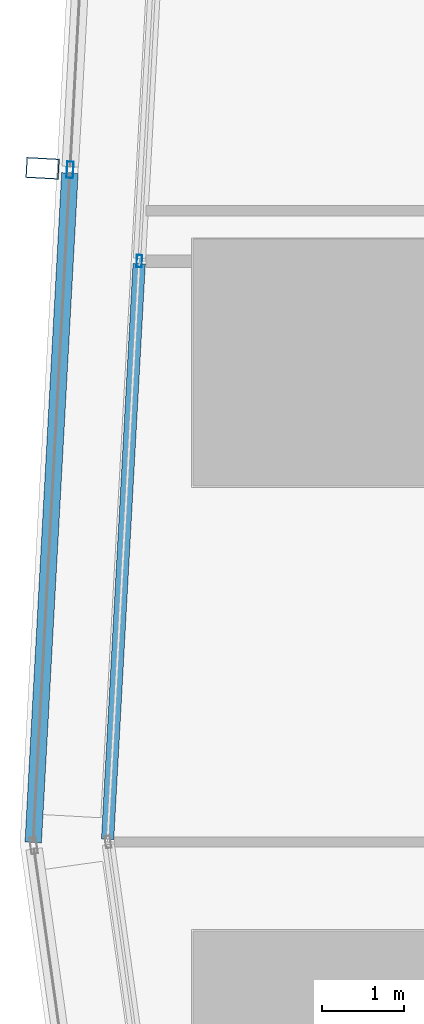
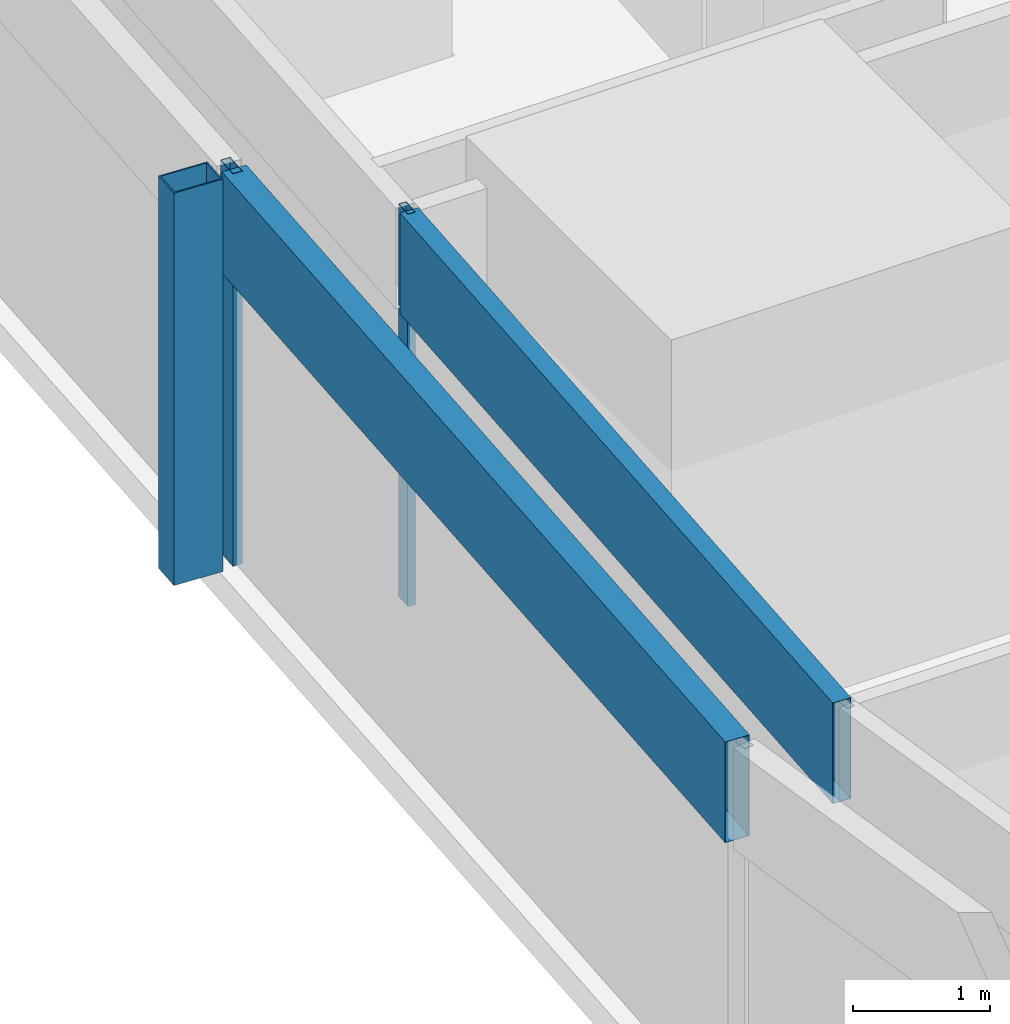
# One storey, part 6 of 39: 5 members, 2 elements without a shape of their own.
"""IFC4 building model written with IfcOpenShell, lengths in metres."""

from ifc_helpers import new_model, si_unit, direction, frame, origin, origin_2d, place, context, subcontext, project, spatial, hollow_rectangle, extrude, material, material_profile, profile_set, type_object, element, aggregate, save


model = new_model("IFC4")

# Units and contexts
model_context = context("Model", 3, precision=1e-05, world=origin(), true_north=direction((0.0, 1.0)))
body_context = subcontext(model_context, "Body", "Model", "MODEL_VIEW")
ifc_project = project(units=[si_unit("LENGTHUNIT", "METRE"), si_unit("AREAUNIT", "SQUARE_METRE"), si_unit("VOLUMEUNIT", "CUBIC_METRE"), si_unit("PLANEANGLEUNIT", "RADIAN"), si_unit("MASSUNIT", "GRAM", prefix="KILO")], contexts=[model_context])

# Site, building, storey
site_placement = place(None, origin())
site = spatial("IfcSite", under=ifc_project, at=site_placement, CompositionType="ELEMENT")
building_placement = place(site_placement, origin())
building = spatial("IfcBuilding", under=site, at=building_placement, Name="Rekha Terrace Tower", CompositionType="ELEMENT")
storey_placement = place(building_placement, frame((0.0, 0.0, 155.300048828125)))
storey = spatial("IfcBuildingStorey", under=building, at=storey_placement, Name="L39", CompositionType="ELEMENT", Elevation=155.300048828125)

# Curtain wall, member
ifc_material_1 = material(Name="Aluminium framing", Category="aluminium")
curtain_wall_type_1 = type_object("IfcCurtainWallType", Name="CW2 double skin outer glazing", PredefinedType="USERDEFINED", material=ifc_material_1)
curtain_wall_1_placement = place(storey_placement, origin())
curtain_wall_1 = element("IfcCurtainWall", 1, at=curtain_wall_1_placement, inside=storey, type_object=curtain_wall_type_1, Name="CW2 double skin outer glazing", ObjectType="DOUBLE SKIN OUTER GLAZING", PredefinedType="USERDEFINED")
ifc_material_2 = material(Name="Steel S355 with fluorocarbon finish", Category="steel")
ifc_material_profile_1 = material_profile(ifc_material_2, hollow_rectangle(XDim=0.25, YDim=0.39990234375, WallThickness=0.012451171875, at=origin_2d()), Name="RHS400x250x12.5")
ifc_profile_set_1 = profile_set([ifc_material_profile_1], Name="Steel S355 with fluorocarbon finish")
member_type_1 = type_object("IfcMemberType", Name="BL1 facade blade RHS 400 x 250", PredefinedType="USERDEFINED", material=ifc_profile_set_1)
member_1_placement = place(storey_placement, frame((5.073974609375, 35.9609375, 0.0), z_axis=(0.0, 0.0, 1.0), x_axis=(-0.054742798353, -0.998500488747, 0.0)))
member_1 = element("IfcMember", 2, at=member_1_placement, type_object=member_type_1, Name="Facade blade", ObjectType="FACADE BLADE", PredefinedType="USERDEFINED", context=body_context, shape_type="SweptSolid", body=[
    extrude(hollow_rectangle(XDim=0.25, YDim=0.39990234375, WallThickness=0.012451171875, at=origin_2d()), origin(), (0.0, 0.0, 1.0), 3.5),
])

# Curtain wall, members
curtain_wall_type_2 = type_object("IfcCurtainWallType", Name="CW1 double skin inner glazing", PredefinedType="USERDEFINED", material=ifc_material_1)
curtain_wall_2_placement = place(storey_placement, origin())
curtain_wall_2 = element("IfcCurtainWall", 3, at=curtain_wall_2_placement, inside=storey, type_object=curtain_wall_type_2, Name="CW1 double skin inner glazing", ObjectType="DOUBLE SKIN INNER GLAZING", PredefinedType="USERDEFINED")
ifc_material_3 = material(Name="Aluminium mullion section", Category="aluminium")
ifc_material_profile_2 = material_profile(ifc_material_3, hollow_rectangle(XDim=0.06494140625, YDim=0.14990234375, WallThickness=0.00390625, at=origin_2d()), Name="AL RHS 65x150")
ifc_profile_set_2 = profile_set([ifc_material_profile_2], Name="Aluminium mullion section")
member_type_2 = type_object("IfcMemberType", Name="CW1 mullion RHS 65 x 150", PredefinedType="MULLION", material=ifc_profile_set_2)
member_2_placement = place(storey_placement, frame((6.2490234375, 34.833984375, 0.0), z_axis=(0.0, 0.0, 1.0), x_axis=(0.998500513181, -0.05474235269, 0.0)))
member_2 = element("IfcMember", 4, at=member_2_placement, type_object=member_type_2, Name="CW1 mullion 3", PredefinedType="MULLION", context=body_context, shape_type="SweptSolid", body=[
    extrude(hollow_rectangle(XDim=0.06494140625, YDim=0.14990234375, WallThickness=0.00390625, at=origin_2d()), origin(), (0.0, 0.0, 1.0), 3.5),
])
ifc_material_4 = material(Name="Insulated aluminium spandrel box", Category="aluminium")
ifc_material_profile_3 = material_profile(ifc_material_4, hollow_rectangle(XDim=0.14990234375, YDim=0.89990234375, WallThickness=0.0029296875, at=origin_2d()), Name="AL SPANDREL BOX 150x900")
ifc_profile_set_3 = profile_set([ifc_material_profile_3], Name="Insulated aluminium spandrel box")
member_type_3 = type_object("IfcMemberType", Name="CW1 spandrel transom 150 x 900", PredefinedType="USERDEFINED", material=ifc_profile_set_3)
member_3_placement = place(storey_placement, frame((6.247314453125, 34.801513671875, 3.050048828125), z_axis=(-0.054768666464, -0.998499070192, 0.0), x_axis=(0.998499070192, -0.054768666464, 0.0)))
member_3 = element("IfcMember", 5, at=member_3_placement, type_object=member_type_3, Name="CW1 spandrel transom 3", ObjectType="TRANSOM", PredefinedType="USERDEFINED", context=body_context, shape_type="SweptSolid", body=[
    extrude(hollow_rectangle(XDim=0.14990234375, YDim=0.89990234375, WallThickness=0.0029296875, at=origin_2d()), origin(), (0.0, 0.0, 1.0), 6.99853515625),
])
aggregate(curtain_wall_2, [member_2, member_3])

# Member
ifc_material_profile_4 = material_profile(ifc_material_3, hollow_rectangle(XDim=0.080078125, YDim=0.199951171875, WallThickness=0.00390625, at=origin_2d()), Name="AL RHS 80x200")
ifc_profile_set_4 = profile_set([ifc_material_profile_4], Name="Aluminium mullion section")
member_type_4 = type_object("IfcMemberType", Name="CW2 mullion RHS 80 x 200", PredefinedType="MULLION", material=ifc_profile_set_4)
member_4_placement = place(storey_placement, frame((5.408447265625, 35.942626953125, 0.0), z_axis=(0.0, 0.0, 1.0), x_axis=(0.99850051318, -0.054742352707, 0.0)))
member_4 = element("IfcMember", 6, at=member_4_placement, type_object=member_type_4, Name="CW2 mullion 4", PredefinedType="MULLION", context=body_context, shape_type="SweptSolid", body=[
    extrude(hollow_rectangle(XDim=0.080078125, YDim=0.199951171875, WallThickness=0.00390625, at=origin_2d()), origin(), (0.0, 0.0, 1.0), 3.5),
])

ifc_material_profile_5 = material_profile(ifc_material_4, hollow_rectangle(XDim=0.199951171875, YDim=0.89990234375, WallThickness=0.0029296875, at=origin_2d()), Name="AL SPANDREL BOX 200x900")
ifc_profile_set_5 = profile_set([ifc_material_profile_5], Name="Insulated aluminium spandrel box")
member_type_5 = type_object("IfcMemberType", Name="CW2 spandrel transom 200 x 900", PredefinedType="USERDEFINED", material=ifc_profile_set_5)
member_5_placement = place(storey_placement, frame((5.40625, 35.902587890625, 3.050048828125), z_axis=(-0.054737434401, -0.998500782812, 0.0), x_axis=(0.998500782812, -0.054737434401, 0.0)))
member_5 = element("IfcMember", 7, at=member_5_placement, type_object=member_type_5, Name="CW2 spandrel transom 4", ObjectType="TRANSOM", PredefinedType="USERDEFINED", context=body_context, shape_type="SweptSolid", body=[
    extrude(hollow_rectangle(XDim=0.199951171875, YDim=0.89990234375, WallThickness=0.0029296875, at=origin_2d()), origin(), (0.0, 0.0, 1.0), 8.139892578125),
])

aggregate(curtain_wall_1, [member_4, member_5, member_1])

save(model, "model.ifc")
